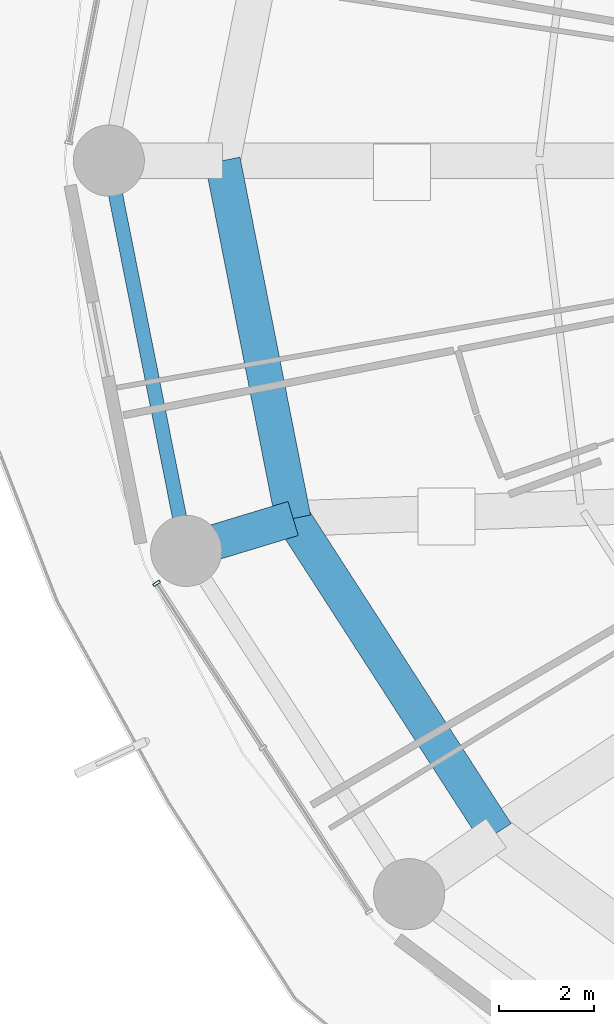
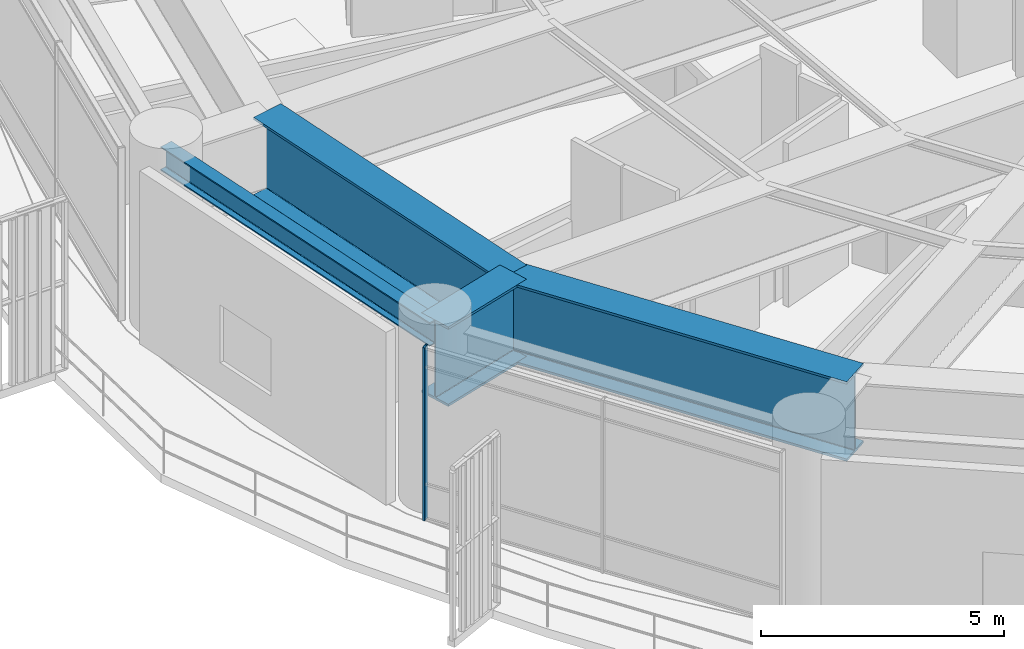
# One storey, part 4 of 31: 4 beams, 1 member, 1 element without a shape of its own.
"""IFC4 building model written with IfcOpenShell, lengths in metres."""

from ifc_helpers import new_model, si_unit, direction, frame, origin, origin_2d, place, context, subcontext, project, spatial, hollow_rectangle, i_section, extrude, material, layer, layer_set, material_profile, profile_set, type_object, element, aggregate, save


model = new_model("IFC4")

# Units and contexts
model_context = context("Model", 3, precision=1e-05, world=origin(), true_north=direction((0.0, 1.0)))
body_context = subcontext(model_context, "Body", "Model", "MODEL_VIEW")
ifc_project = project(units=[si_unit("LENGTHUNIT", "METRE"), si_unit("AREAUNIT", "SQUARE_METRE"), si_unit("VOLUMEUNIT", "CUBIC_METRE"), si_unit("PLANEANGLEUNIT", "RADIAN"), si_unit("MASSUNIT", "GRAM", prefix="KILO")], contexts=[model_context])

# Site, building, storey
site_placement = place(None, origin())
site = spatial("IfcSite", under=ifc_project, at=site_placement, CompositionType="ELEMENT")
building_placement = place(site_placement, origin())
building = spatial("IfcBuilding", under=site, at=building_placement, Name="Kelanora Arch Commons", CompositionType="ELEMENT")
storey_placement = place(building_placement, frame((0.0, 0.0, 67.5)))
storey = spatial("IfcBuildingStorey", under=building, at=storey_placement, Name="L17", CompositionType="ELEMENT", Elevation=67.5)

# Beams
ifc_material_1 = material(Name="Steel S355", Category="steel")
ifc_material_profile_1 = material_profile(ifc_material_1, i_section(OverallWidth=0.300048828125, OverallDepth=0.60009765625, WebThickness=0.015380859375, FlangeThickness=0.030029296875, FilletRadius=0.027099609375, at=origin_2d()), Name="HEB600")
ifc_profile_set_1 = profile_set([ifc_material_profile_1], Name="Steel S355")
beam_type_1 = type_object("IfcBeamType", Name="BM-SPN-Z1", PredefinedType="SPANDREL", material=ifc_profile_set_1)
beam_1_placement = place(storey_placement, frame((46.919921875, 58.0, 4.06005859375), z_axis=(0.194499827256, -0.980902552345, 0.0), x_axis=(0.980902552345, 0.194499827256, 0.0)))
element("IfcBeam", 1, at=beam_1_placement, inside=storey, type_object=beam_type_1, Name="Perimeter Spandrel Beam BS-18 L17", PredefinedType="SPANDREL", context=body_context, shape_type="SweptSolid", body=[
    extrude(i_section(OverallWidth=0.300048828125, OverallDepth=0.60009765625, WebThickness=0.015380859375, FlangeThickness=0.030029296875, FilletRadius=0.027099609375, at=origin_2d()), origin(), (0.0, 0.0, 1.0), 8.396240234375),
])
ifc_material_profile_2 = material_profile(ifc_material_1, i_section(OverallWidth=0.75, OverallDepth=2.0, WebThickness=0.034912109375, FlangeThickness=0.06005859375, FilletRadius=0.028076171875, at=origin_2d()), Name="PG2000x750")
ifc_profile_set_2 = profile_set([ifc_material_profile_2], Name="Steel S355")
beam_type_2 = type_object("IfcBeamType", Name="BM-XFER-SET", PredefinedType="USERDEFINED", material=ifc_profile_set_2)
beam_2_placement = place(storey_placement, frame((50.808349609375, 50.4482421875, 3.360107421875), z_axis=(-0.956949447341, -0.290254638607, 0.0), x_axis=(0.290254638607, -0.956949447341, 0.0)))
element("IfcBeam", 2, at=beam_2_placement, inside=storey, type_object=beam_type_2, Name="Radial Floor Girder BR-20 L17", ObjectType="TRANSFER_GIRDER", PredefinedType="USERDEFINED", context=body_context, shape_type="SweptSolid", body=[
    extrude(i_section(OverallWidth=0.75, OverallDepth=2.0, WebThickness=0.034912109375, FlangeThickness=0.06005859375, FilletRadius=0.028076171875, at=origin_2d()), origin(), (0.0, 0.0, 1.0), 2.35693359375),
])
beam_3_placement = place(storey_placement, frame((49.320068359375, 58.0, 3.360107421875), z_axis=(0.19335825777, -0.981128220037, 0.0), x_axis=(0.981128220037, 0.19335825777, 0.0)))
element("IfcBeam", 3, at=beam_3_placement, inside=storey, type_object=beam_type_2, Name="Setback Inner Transfer Ring BSI-18 L17", ObjectType="TRANSFER_GIRDER", PredefinedType="USERDEFINED", context=body_context, shape_type="SweptSolid", body=[
    extrude(i_section(OverallWidth=0.75, OverallDepth=2.0, WebThickness=0.034912109375, FlangeThickness=0.06005859375, FilletRadius=0.028076171875, at=origin_2d()), origin(), (0.0, 0.0, 1.0), 7.697021484375),
])
beam_4_placement = place(storey_placement, frame((50.808349609375, 50.4482421875, 3.360107421875), z_axis=(0.542221144054, -0.840235818649, 0.0), x_axis=(0.840235818649, 0.542221144054, 0.0)))
element("IfcBeam", 4, at=beam_4_placement, inside=storey, type_object=beam_type_2, Name="Setback Inner Transfer Ring BSI-20 L17", ObjectType="TRANSFER_GIRDER", PredefinedType="USERDEFINED", context=body_context, shape_type="SweptSolid", body=[
    extrude(i_section(OverallWidth=0.75, OverallDepth=2.0, WebThickness=0.034912109375, FlangeThickness=0.06005859375, FilletRadius=0.028076171875, at=origin_2d()), origin(), (0.0, 0.0, 1.0), 7.90380859375),
])

# Curtain wall, member
ifc_material_2 = material(Name="Terracotta ceramic-fritted low-E glass and aluminium", Category="masonry")
ifc_layer = layer(ifc_material_2, 0.159912109375)
ifc_layer_set = layer_set([ifc_layer], Name="Terracotta ceramic-fritted low-E glass and aluminium")
curtain_wall_type = type_object("IfcCurtainWallType", Name="CW-SYS-01", PredefinedType="NOTDEFINED", material=ifc_layer_set)
curtain_wall_placement = place(storey_placement, origin())
curtain_wall = element("IfcCurtainWall", 5, at=curtain_wall_placement, inside=storey, type_object=curtain_wall_type, Name="Unitised Curtain Wall L17-B10", PredefinedType="NOTDEFINED")
ifc_material_3 = material(Name="Powder-coated aluminium terracotta", Category="masonry")
ifc_material_profile_3 = material_profile(ifc_material_3, hollow_rectangle(XDim=0.159912109375, YDim=0.06005859375, WallThickness=0.0048828125, InnerFilletRadius=0.0048828125, OuterFilletRadius=0.010009765625, at=origin_2d()), Name="CWM160x60")
ifc_profile_set_3 = profile_set([ifc_material_profile_3], Name="Powder-coated aluminium terracotta")
member_type = type_object("IfcMemberType", Name="CWM-STD", PredefinedType="MULLION", material=ifc_profile_set_3)
member_placement = place(storey_placement, frame((47.927734375, 49.07958984375, 0.0), z_axis=(0.0, 0.0, 1.0), x_axis=(0.83972982332, 0.543004441812, 0.0)))
member = element("IfcMember", 6, at=member_placement, type_object=member_type, Name="CW-01 mullion 1", PredefinedType="MULLION", context=body_context, shape_type="SweptSolid", body=[
    extrude(hollow_rectangle(XDim=0.159912109375, YDim=0.06005859375, WallThickness=0.0048828125, InnerFilletRadius=0.0048828125, OuterFilletRadius=0.010009765625, at=origin_2d()), origin(), (0.0, 0.0, 1.0), 4.344970703125),
])
aggregate(curtain_wall, [member])

save(model, "model.ifc")
